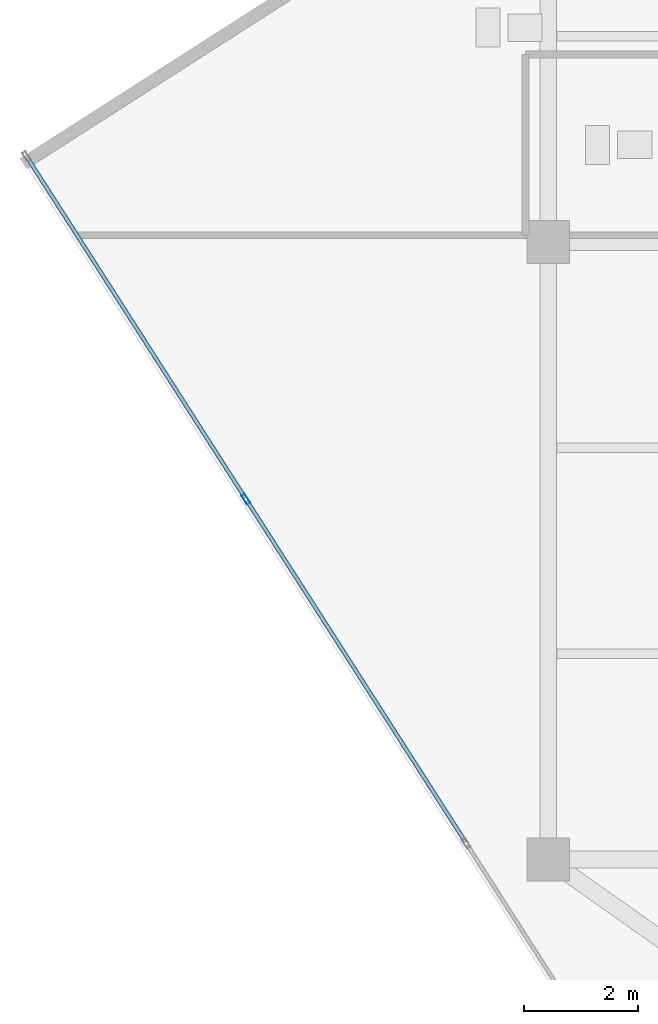
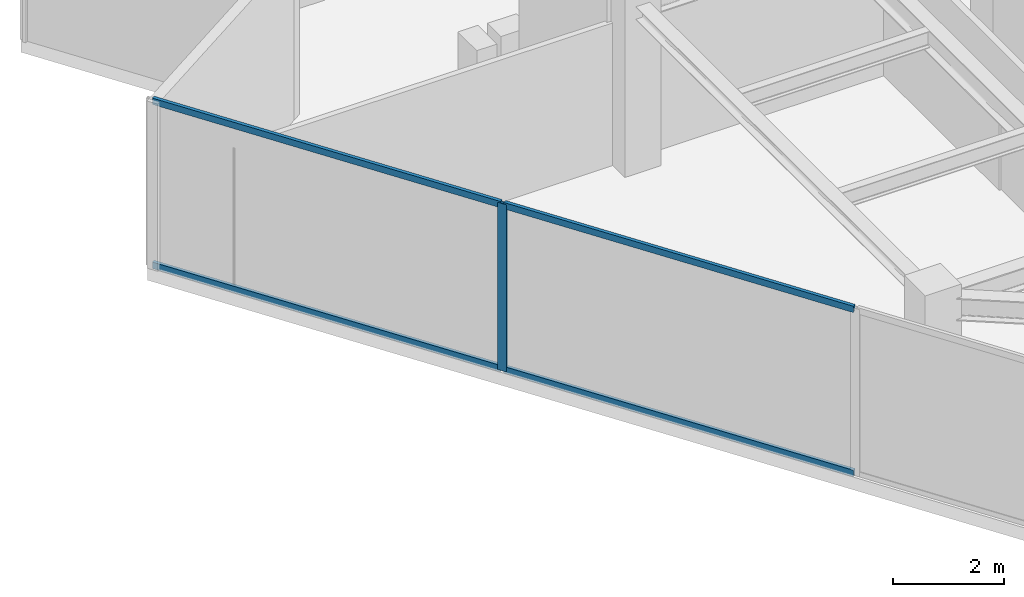
# One storey, part 4 of 20: 5 members, 1 element without a shape of its own.
"""IFC4 building model written with IfcOpenShell, lengths in metres."""

from ifc_helpers import new_model, si_unit, direction, frame, origin, origin_2d, place, context, subcontext, project, spatial, hollow_rectangle, extrude, source, transform, mapped, material, material_profile, profile_set, type_object, type_shapes, element, aggregate, save


model = new_model("IFC4")

# Units and contexts
model_context = context("Model", 3, precision=1e-05, world=origin(), true_north=direction((0.0, 1.0)))
body_context = subcontext(model_context, "Body", "Model", "MODEL_VIEW")
ifc_project = project(units=[si_unit("LENGTHUNIT", "METRE"), si_unit("AREAUNIT", "SQUARE_METRE"), si_unit("VOLUMEUNIT", "CUBIC_METRE"), si_unit("PLANEANGLEUNIT", "RADIAN"), si_unit("MASSUNIT", "GRAM", prefix="KILO")], contexts=[model_context])

# Site, building, storey
site_placement = place(None, origin())
site = spatial("IfcSite", under=ifc_project, at=site_placement, CompositionType="ELEMENT")
building_placement = place(site_placement, origin())
building = spatial("IfcBuilding", under=site, at=building_placement, Name="Krantzveldt Concourse Tower", CompositionType="ELEMENT")
storey_placement = place(building_placement, frame((0.0, 0.0, 291.10009765625)))
storey = spatial("IfcBuildingStorey", under=building, at=storey_placement, Name="L71", CompositionType="ELEMENT", Elevation=291.10009765625)

# Curtain wall, members
ifc_material = material(Name="Anodised aluminium 6063-T6", Category="aluminium")
curtain_wall_type = type_object("IfcCurtainWallType", Name="CW4", PredefinedType="USERDEFINED", material=ifc_material)
curtain_wall_placement = place(storey_placement, origin())
curtain_wall = element("IfcCurtainWall", 1, at=curtain_wall_placement, inside=storey, type_object=curtain_wall_type, Name="CW-L71-F04", ObjectType="UNITISED CURTAIN WALL", PredefinedType="USERDEFINED")
ifc_material_profile_1 = material_profile(ifc_material, hollow_rectangle(XDim=0.070068359375, YDim=0.179931640625, WallThickness=0.0048828125, at=origin_2d()), Name="Anodised aluminium 6063-T6", Category="aluminium")
ifc_profile_set_1 = profile_set([ifc_material_profile_1], Name="Anodised aluminium 6063-T6 - ALU-MULL 180x70x5")
member_type_1 = type_object("IfcMemberType", Name="CW-MUL-180", PredefinedType="MULLION", material=ifc_profile_set_1)
shared_shape_1 = source(origin(), body_context, "Body", "SweptSolid", [
    extrude(hollow_rectangle(XDim=0.070068359375, YDim=0.179931640625, WallThickness=0.0048828125, at=origin_2d()), origin(), (0.0, 0.0, 1.0), 3.669921875),
])
type_shapes(member_type_1, [shared_shape_1])
member_1_placement = place(storey_placement, frame((15.71337890625, 22.203369140625, 0.0), z_axis=(0.0, 0.0, 1.0), x_axis=(0.842217243088, 0.53913830827, 0.0)))
member_1 = element("IfcMember", 2, at=member_1_placement, type_object=member_type_1, Name="CW-Z56 mullion 2", PredefinedType="MULLION", context=body_context, shape_type="MappedRepresentation", body=[
    mapped(shared_shape_1, transform((0.0, 0.0, 0.0), x_axis=(1.0, 0.0, 0.0), y_axis=(0.0, 1.0, 0.0), z_axis=(0.0, 0.0, 1.0), scale=1.0)),
])
ifc_material_profile_2 = material_profile(ifc_material, hollow_rectangle(XDim=0.070068359375, YDim=0.139892578125, WallThickness=0.0048828125, at=origin_2d()), Name="Anodised aluminium 6063-T6", Category="aluminium")
ifc_profile_set_2 = profile_set([ifc_material_profile_2], Name="Anodised aluminium 6063-T6 - ALU-TRAN 140x70x5")
member_type_2 = type_object("IfcMemberType", Name="CW-TRN-150", PredefinedType="USERDEFINED", material=ifc_profile_set_2)
shared_shape_2 = source(origin(), body_context, "Body", "SweptSolid", [
    extrude(hollow_rectangle(XDim=0.070068359375, YDim=0.139892578125, WallThickness=0.0048828125, at=origin_2d()), origin(), (0.0, 0.0, 1.0), 7.080078125),
])
member_2_placement = place(storey_placement, frame((15.732421875, 22.173828125, 0.034912109375), z_axis=(0.539142738786, -0.842214406915, 0.0), x_axis=(0.842214406915, 0.539142738786, 0.0)))
member_2 = element("IfcMember", 3, at=member_2_placement, type_object=member_type_2, Name="CW-Z56 transom 2.1", ObjectType="TRANSOM", PredefinedType="USERDEFINED", context=body_context, shape_type="MappedRepresentation", body=[
    mapped(shared_shape_2, transform((0.0, 0.0, 0.0), x_axis=(1.0, 0.0, 0.0), y_axis=(0.0, 1.0, 0.0), z_axis=(0.0, 0.0, 1.0), scale=1.0)),
])
member_3_placement = place(storey_placement, frame((15.732421875, 22.173828125, 3.635009765625), z_axis=(0.539142738786, -0.842214406915, 0.0), x_axis=(0.842214406915, 0.539142738786, 0.0)))
member_3 = element("IfcMember", 4, at=member_3_placement, type_object=member_type_2, Name="CW-Z56 transom 2.2", ObjectType="TRANSOM", PredefinedType="USERDEFINED", context=body_context, shape_type="MappedRepresentation", body=[
    mapped(shared_shape_2, transform((0.0, 0.0, 0.0), x_axis=(1.0, 0.0, 0.0), y_axis=(0.0, 1.0, 0.0), z_axis=(0.0, 0.0, 1.0), scale=1.0)),
])
shared_shape_3 = source(origin(), body_context, "Body", "SweptSolid", [
    extrude(hollow_rectangle(XDim=0.070068359375, YDim=0.139892578125, WallThickness=0.0048828125, at=origin_2d()), origin(), (0.0, 0.0, 1.0), 7.045166015625),
])
type_shapes(member_type_2, [shared_shape_2, shared_shape_3])
member_4_placement = place(storey_placement, frame((11.896484375, 28.166259765625, 0.034912109375), z_axis=(0.539113680854, -0.842233007615, 0.0), x_axis=(0.842233007615, 0.539113680854, 0.0)))
member_4 = element("IfcMember", 5, at=member_4_placement, type_object=member_type_2, Name="CW-Z56 transom 1.1", ObjectType="TRANSOM", PredefinedType="USERDEFINED", context=body_context, shape_type="MappedRepresentation", body=[
    mapped(shared_shape_3, transform((0.0, 0.0, 0.0), x_axis=(1.0, 0.0, 0.0), y_axis=(0.0, 1.0, 0.0), z_axis=(0.0, 0.0, 1.0), scale=1.0)),
])
member_5_placement = place(storey_placement, frame((11.896484375, 28.166259765625, 3.635009765625), z_axis=(0.539113680854, -0.842233007615, 0.0), x_axis=(0.842233007615, 0.539113680854, 0.0)))
member_5 = element("IfcMember", 6, at=member_5_placement, type_object=member_type_2, Name="CW-Z56 transom 1.2", ObjectType="TRANSOM", PredefinedType="USERDEFINED", context=body_context, shape_type="MappedRepresentation", body=[
    mapped(shared_shape_3, transform((0.0, 0.0, 0.0), x_axis=(1.0, 0.0, 0.0), y_axis=(0.0, 1.0, 0.0), z_axis=(0.0, 0.0, 1.0), scale=1.0)),
])
aggregate(curtain_wall, [member_1, member_4, member_5, member_2, member_3])

save(model, "model.ifc")
